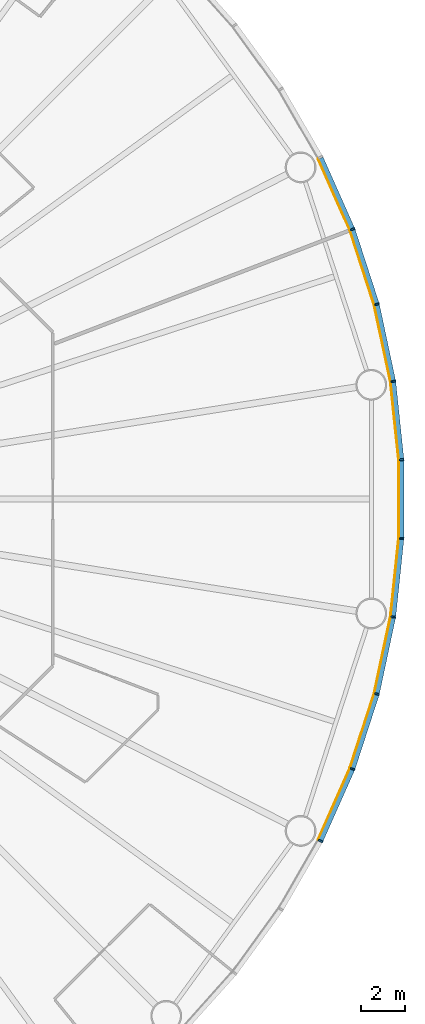
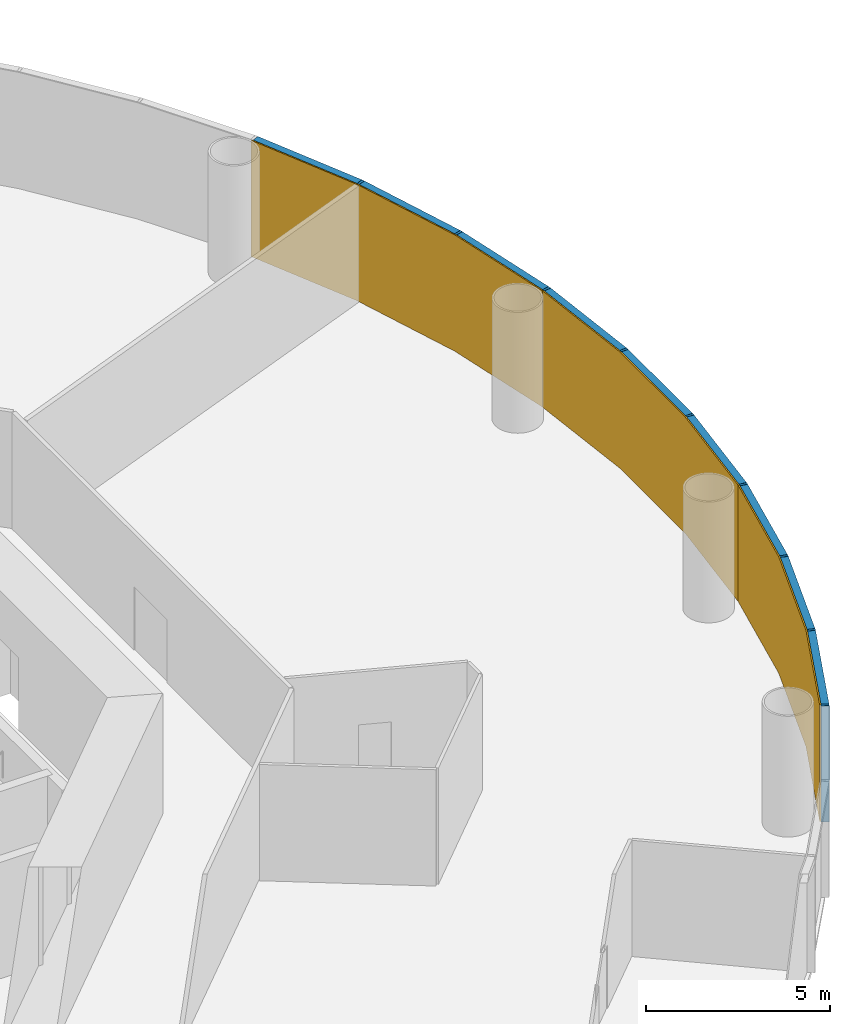
# One storey, part 11 of 13: 18 members, 3 curtain walls.
"""IFC4 building model written with IfcOpenShell, lengths in metres."""

from ifc_helpers import new_model, si_unit, direction, frame, origin, origin_2d, place, context, subcontext, project, spatial, polyline, rectangle, outline, extrude, material, layer, layer_set, material_profile, profile_set, type_object, element, aggregate, save


model = new_model("IFC4")

# Units and contexts
model_context = context("Model", 3, precision=1e-05, world=origin(), true_north=direction((0.0, 1.0)))
body_context = subcontext(model_context, "Body", "Model", "MODEL_VIEW")
ifc_project = project(units=[si_unit("LENGTHUNIT", "METRE"), si_unit("AREAUNIT", "SQUARE_METRE"), si_unit("VOLUMEUNIT", "CUBIC_METRE"), si_unit("PLANEANGLEUNIT", "RADIAN"), si_unit("MASSUNIT", "GRAM", prefix="KILO")], contexts=[model_context])

# Member
ifc_material_1 = material(Name="Anodised aluminium", Category="aluminium")
ifc_material_profile_1 = material_profile(ifc_material_1, rectangle(XDim=0.074951171875, YDim=0.219970703125, at=origin_2d()), Name="Mullion 75 x 220 mm anodised aluminium")
ifc_profile_set_1 = profile_set([ifc_material_profile_1], Name="Anodised aluminium")
member_type_1 = type_object("IfcMemberType", Name="Mullion 75 x 220 mm anodised aluminium", PredefinedType="MULLION", material=ifc_profile_set_1)
site_placement = place(None, origin())
building_placement = place(site_placement, origin())
storey_placement = place(building_placement, frame((0.0, 0.0, 58.0)))
member_1_placement = place(storey_placement, frame((123.68994140625, 85.3359375, 0.0), z_axis=(0.0, 0.0, 1.0), x_axis=(-0.15643446504, 0.987688340595, 0.0)))
member_1 = element("IfcMember", 1, at=member_1_placement, type_object=member_type_1, Name="MULLION L12-00", PredefinedType="MULLION", context=body_context, shape_type="SweptSolid", body=[
    extrude(rectangle(XDim=0.074951171875, YDim=0.219970703125, at=origin_2d()), origin(), (0.0, 0.0, 1.0), 3.85009765625),
])

member_2_placement = place(storey_placement, frame((122.94775390625, 88.828369140625, 0.0), z_axis=(0.0, 0.0, 1.0), x_axis=(-0.258819045103, 0.965925826289, 0.0)))
member_2 = element("IfcMember", 2, at=member_2_placement, type_object=member_type_1, Name="MULLION L12-01", PredefinedType="MULLION", context=body_context, shape_type="SweptSolid", body=[
    extrude(rectangle(XDim=0.074951171875, YDim=0.219970703125, at=origin_2d()), origin(), (0.0, 0.0, 1.0), 3.85009765625),
])

member_3_placement = place(storey_placement, frame((121.844482421875, 92.223876953125, 0.0), z_axis=(0.0, 0.0, 1.0), x_axis=(-0.358367949545, 0.933580426497, 0.0)))
member_3 = element("IfcMember", 3, at=member_3_placement, type_object=member_type_1, Name="MULLION L12-02", PredefinedType="MULLION", context=body_context, shape_type="SweptSolid", body=[
    extrude(rectangle(XDim=0.074951171875, YDim=0.219970703125, at=origin_2d()), origin(), (0.0, 0.0, 1.0), 3.85009765625),
])

member_4_placement = place(storey_placement, frame((120.392333984375, 64.514404296875, 0.0), z_axis=(0.0, 0.0, 1.0), x_axis=(0.45399049974, 0.891006524188, 0.0)))
member_4 = element("IfcMember", 4, at=member_4_placement, type_object=member_type_1, Name="MULLION L12-54", PredefinedType="MULLION", context=body_context, shape_type="SweptSolid", body=[
    extrude(rectangle(XDim=0.074951171875, YDim=0.219970703125, at=origin_2d()), origin(), (0.0, 0.0, 1.0), 3.85009765625),
])

member_5_placement = place(storey_placement, frame((121.844482421875, 67.776123046875, 0.0), z_axis=(0.0, 0.0, 1.0), x_axis=(0.358367949545, 0.933580426497, 0.0)))
member_5 = element("IfcMember", 5, at=member_5_placement, type_object=member_type_1, Name="MULLION L12-55", PredefinedType="MULLION", context=body_context, shape_type="SweptSolid", body=[
    extrude(rectangle(XDim=0.074951171875, YDim=0.219970703125, at=origin_2d()), origin(), (0.0, 0.0, 1.0), 3.85009765625),
])

member_6_placement = place(storey_placement, frame((122.94775390625, 71.171630859375, 0.0), z_axis=(0.0, 0.0, 1.0), x_axis=(0.258819045103, 0.965925826289, 0.0)))
member_6 = element("IfcMember", 6, at=member_6_placement, type_object=member_type_1, Name="MULLION L12-56", PredefinedType="MULLION", context=body_context, shape_type="SweptSolid", body=[
    extrude(rectangle(XDim=0.074951171875, YDim=0.219970703125, at=origin_2d()), origin(), (0.0, 0.0, 1.0), 3.85009765625),
])

member_7_placement = place(storey_placement, frame((123.68994140625, 74.6640625, 0.0), z_axis=(0.0, 0.0, 1.0), x_axis=(0.15643446504, 0.987688340595, 0.0)))
member_7 = element("IfcMember", 7, at=member_7_placement, type_object=member_type_1, Name="MULLION L12-57", PredefinedType="MULLION", context=body_context, shape_type="SweptSolid", body=[
    extrude(rectangle(XDim=0.074951171875, YDim=0.219970703125, at=origin_2d()), origin(), (0.0, 0.0, 1.0), 3.85009765625),
])

member_8_placement = place(storey_placement, frame((124.063232421875, 78.21484375, 0.0), z_axis=(0.0, 0.0, 1.0), x_axis=(0.052335956243, 0.998629534755, 0.0)))
member_8 = element("IfcMember", 8, at=member_8_placement, type_object=member_type_1, Name="MULLION L12-58", PredefinedType="MULLION", context=body_context, shape_type="SweptSolid", body=[
    extrude(rectangle(XDim=0.074951171875, YDim=0.219970703125, at=origin_2d()), origin(), (0.0, 0.0, 1.0), 3.85009765625),
])

member_9_placement = place(storey_placement, frame((124.063232421875, 81.78515625, 0.0), z_axis=(0.0, 0.0, 1.0), x_axis=(-0.052335956243, 0.998629534755, 0.0)))
member_9 = element("IfcMember", 9, at=member_9_placement, type_object=member_type_1, Name="MULLION L12-59", PredefinedType="MULLION", context=body_context, shape_type="SweptSolid", body=[
    extrude(rectangle(XDim=0.074951171875, YDim=0.219970703125, at=origin_2d()), origin(), (0.0, 0.0, 1.0), 3.85009765625),
])

ifc_material_2 = material(Name="Anodised aluminium", Category="aluminium")
ifc_material_profile_2 = material_profile(ifc_material_2, rectangle(XDim=0.219970703125, YDim=0.199951171875, at=origin_2d()), Name="Transom 200 x 220 mm anodised aluminium")
ifc_profile_set_2 = profile_set([ifc_material_profile_2], Name="Anodised aluminium")
member_type_2 = type_object("IfcMemberType", Name="Transom 200 x 220 mm anodised aluminium", PredefinedType="USERDEFINED", material=ifc_profile_set_2)
member_10_placement = place(storey_placement, frame((123.68115234375, 85.37841796875, 3.75), z_axis=(-0.207920776701, 0.978145669426, 0.0), x_axis=(-0.978145669426, -0.207920776701, 0.0)))
member_10 = element("IfcMember", 10, at=member_10_placement, type_object=member_type_2, Name="TRANSOM L12-00", ObjectType="TRANSOM", PredefinedType="USERDEFINED", context=body_context, shape_type="SweptSolid", body=[
    extrude(rectangle(XDim=0.219970703125, YDim=0.199951171875, at=origin_2d()), origin(), (0.0, 0.0, 1.0), 3.48388671875),
])

member_11_placement = place(storey_placement, frame((122.9345703125, 88.869384765625, 3.75), z_axis=(-0.309029029702, 0.951052605696, 0.0), x_axis=(-0.951052605696, -0.309029029702, 0.0)))
member_11 = element("IfcMember", 11, at=member_11_placement, type_object=member_type_2, Name="TRANSOM L12-01", ObjectType="TRANSOM", PredefinedType="USERDEFINED", context=body_context, shape_type="SweptSolid", body=[
    extrude(rectangle(XDim=0.219970703125, YDim=0.199951171875, at=origin_2d()), origin(), (0.0, 0.0, 1.0), 3.484130859375),
])

member_12_placement = place(storey_placement, frame((121.826904296875, 92.263427734375, 3.75), z_axis=(-0.406736576304, 0.913545487371, 0.0), x_axis=(-0.913545487371, -0.406736576304, 0.0)))
member_12 = element("IfcMember", 12, at=member_12_placement, type_object=member_type_2, Name="TRANSOM L12-02", ObjectType="TRANSOM", PredefinedType="USERDEFINED", context=body_context, shape_type="SweptSolid", body=[
    extrude(rectangle(XDim=0.219970703125, YDim=0.199951171875, at=origin_2d()), origin(), (0.0, 0.0, 1.0), 3.48388671875),
])

member_13_placement = place(storey_placement, frame((120.409912109375, 64.553955078125, 3.75), z_axis=(0.406736576304, 0.913545487371, 0.0), x_axis=(-0.913545487371, 0.406736576304, 0.0)))
member_13 = element("IfcMember", 13, at=member_13_placement, type_object=member_type_2, Name="TRANSOM L12-54", ObjectType="TRANSOM", PredefinedType="USERDEFINED", context=body_context, shape_type="SweptSolid", body=[
    extrude(rectangle(XDim=0.219970703125, YDim=0.199951171875, at=origin_2d()), origin(), (0.0, 0.0, 1.0), 3.48388671875),
])

member_14_placement = place(storey_placement, frame((121.85791015625, 67.817138671875, 3.75), z_axis=(0.309029029702, 0.951052605696, 0.0), x_axis=(-0.951052605696, 0.309029029702, 0.0)))
member_14 = element("IfcMember", 14, at=member_14_placement, type_object=member_type_2, Name="TRANSOM L12-55", ObjectType="TRANSOM", PredefinedType="USERDEFINED", context=body_context, shape_type="SweptSolid", body=[
    extrude(rectangle(XDim=0.219970703125, YDim=0.199951171875, at=origin_2d()), origin(), (0.0, 0.0, 1.0), 3.484130859375),
])

member_15_placement = place(storey_placement, frame((122.956787109375, 71.2138671875, 3.75), z_axis=(0.207920776701, 0.978145669426, 0.0), x_axis=(-0.978145669426, 0.207920776701, 0.0)))
member_15 = element("IfcMember", 15, at=member_15_placement, type_object=member_type_2, Name="TRANSOM L12-56", ObjectType="TRANSOM", PredefinedType="USERDEFINED", context=body_context, shape_type="SweptSolid", body=[
    extrude(rectangle(XDim=0.219970703125, YDim=0.199951171875, at=origin_2d()), origin(), (0.0, 0.0, 1.0), 3.48388671875),
])

member_16_placement = place(storey_placement, frame((123.69482421875, 74.70703125, 3.75), z_axis=(0.104484152234, 0.994526551648, 0.0), x_axis=(-0.994526551648, 0.104484152234, 0.0)))
member_16 = element("IfcMember", 16, at=member_16_placement, type_object=member_type_2, Name="TRANSOM L12-57", ObjectType="TRANSOM", PredefinedType="USERDEFINED", context=body_context, shape_type="SweptSolid", body=[
    extrude(rectangle(XDim=0.219970703125, YDim=0.199951171875, at=origin_2d()), origin(), (0.0, 0.0, 1.0), 3.48388671875),
])

member_17_placement = place(storey_placement, frame((124.0634765625, 78.258056640625, 3.75), z_axis=(0.0, 1.0, 0.0), x_axis=(-1.0, 0.0, 0.0)))
member_17 = element("IfcMember", 17, at=member_17_placement, type_object=member_type_2, Name="TRANSOM L12-58", ObjectType="TRANSOM", PredefinedType="USERDEFINED", context=body_context, shape_type="SweptSolid", body=[
    extrude(rectangle(XDim=0.219970703125, YDim=0.199951171875, at=origin_2d()), origin(), (0.0, 0.0, 1.0), 3.48388671875),
])

member_18_placement = place(storey_placement, frame((124.058837890625, 81.828125, 3.75), z_axis=(-0.104484152234, 0.994526551648, 0.0), x_axis=(-0.994526551648, -0.104484152234, 0.0)))
member_18 = element("IfcMember", 18, at=member_18_placement, type_object=member_type_2, Name="TRANSOM L12-59", ObjectType="TRANSOM", PredefinedType="USERDEFINED", context=body_context, shape_type="SweptSolid", body=[
    extrude(rectangle(XDim=0.219970703125, YDim=0.199951171875, at=origin_2d()), origin(), (0.0, 0.0, 1.0), 3.48388671875),
])

# Site, building, storey
site = spatial("IfcSite", under=ifc_project, at=site_placement, CompositionType="ELEMENT")
building = spatial("IfcBuilding", under=site, at=building_placement, Name="Entoto Ring Tower", CompositionType="ELEMENT")
storey = spatial("IfcBuildingStorey", under=building, at=storey_placement, Name="L12", CompositionType="ELEMENT", Elevation=58.0)

# Curtain wall
ifc_material_3 = material(Name="Clear low-iron glass", Category="glass")
ifc_layer = layer(ifc_material_3, 0.0400390625)
ifc_layer_set = layer_set([ifc_layer], Name="Clear low-iron glass")
curtain_wall_type = type_object("IfcCurtainWallType", Name="Curtain wall system CW1 glazing 40 mm", PredefinedType="NOTDEFINED", material=ifc_layer_set)
curtain_wall_1_placement = place(storey_placement, origin())
curtain_wall_1 = element("IfcCurtainWall", 19, at=curtain_wall_1_placement, inside=storey, type_object=curtain_wall_type, Name="CW1 L12-01", PredefinedType="NOTDEFINED", context=body_context, shape_type="SweptSolid", body=[
    extrude(outline(polyline([(123.581298828125, 85.31884765625), (122.841552734375, 88.7998046875), (121.74169921875, 92.1845703125), (120.294189453125, 95.435791015625), (120.258544921875, 95.41748046875), (121.704345703125, 92.170166015625), (122.802734375, 88.78955078125), (123.541748046875, 85.3125), (123.581298828125, 85.31884765625)])), origin(), (0.0, 0.0, 1.0), 3.85009765625),
])

aggregate(curtain_wall_1, [member_1, member_2, member_3, member_10, member_11, member_12])

curtain_wall_2_placement = place(storey_placement, origin())
curtain_wall_2 = element("IfcCurtainWall", 20, at=curtain_wall_2_placement, inside=storey, type_object=curtain_wall_type, Name="CW1 L12-19", PredefinedType="NOTDEFINED", context=body_context, shape_type="SweptSolid", body=[
    extrude(outline(polyline([(120.294189453125, 64.564208984375), (121.74169921875, 67.8154296875), (122.841552734375, 71.2001953125), (123.581298828125, 74.68115234375), (123.541748046875, 74.6875), (122.802734375, 71.21044921875), (121.704345703125, 67.829833984375), (120.258544921875, 64.58251953125), (120.294189453125, 64.564208984375)])), origin(), (0.0, 0.0, 1.0), 3.85009765625),
])

aggregate(curtain_wall_2, [member_4, member_5, member_6, member_13, member_14, member_15])

curtain_wall_3_placement = place(storey_placement, origin())
curtain_wall_3 = element("IfcCurtainWall", 21, at=curtain_wall_3_placement, inside=storey, type_object=curtain_wall_type, Name="CW1 L12-20", PredefinedType="NOTDEFINED", context=body_context, shape_type="SweptSolid", body=[
    extrude(outline(polyline([(123.581298828125, 74.68115234375), (123.953369140625, 78.220458984375), (123.953369140625, 81.779541015625), (123.581298828125, 85.31884765625), (123.541748046875, 85.3125), (123.913330078125, 81.77734375), (123.913330078125, 78.22265625), (123.541748046875, 74.6875), (123.581298828125, 74.68115234375)])), origin(), (0.0, 0.0, 1.0), 3.85009765625),
])

aggregate(curtain_wall_3, [member_7, member_8, member_9, member_16, member_17, member_18])

save(model, "model.ifc")
